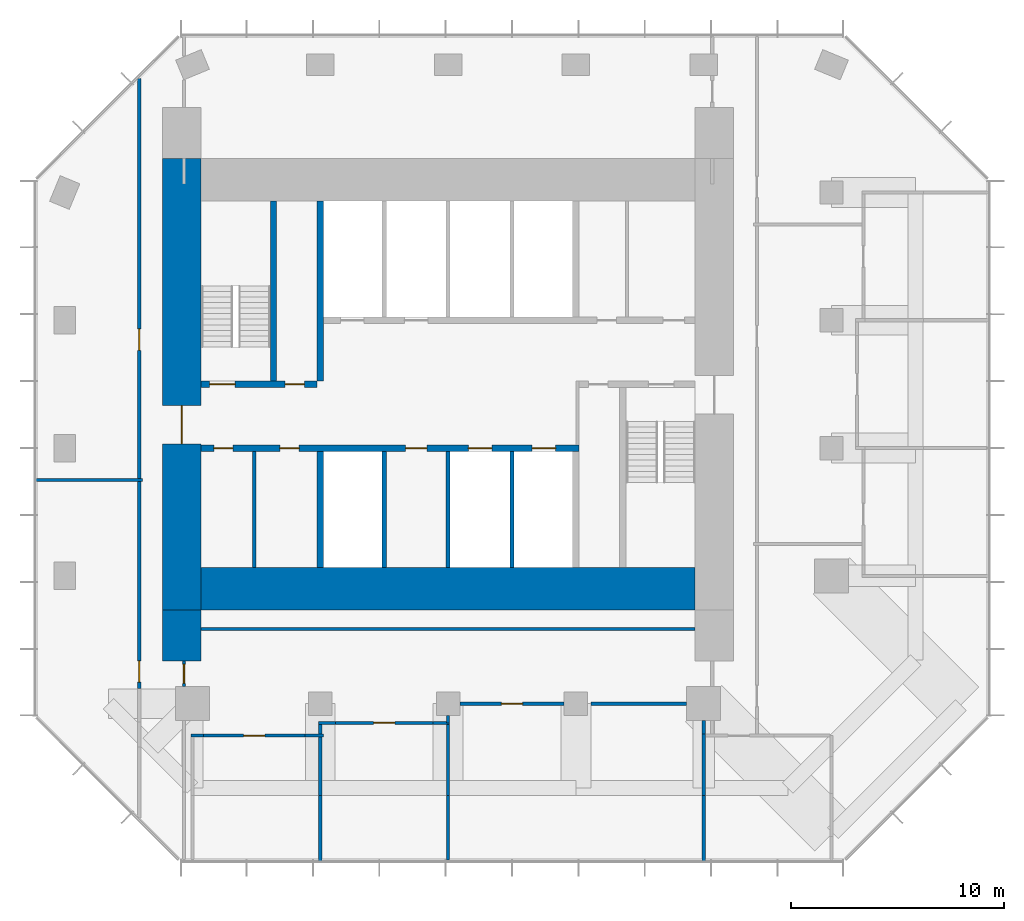
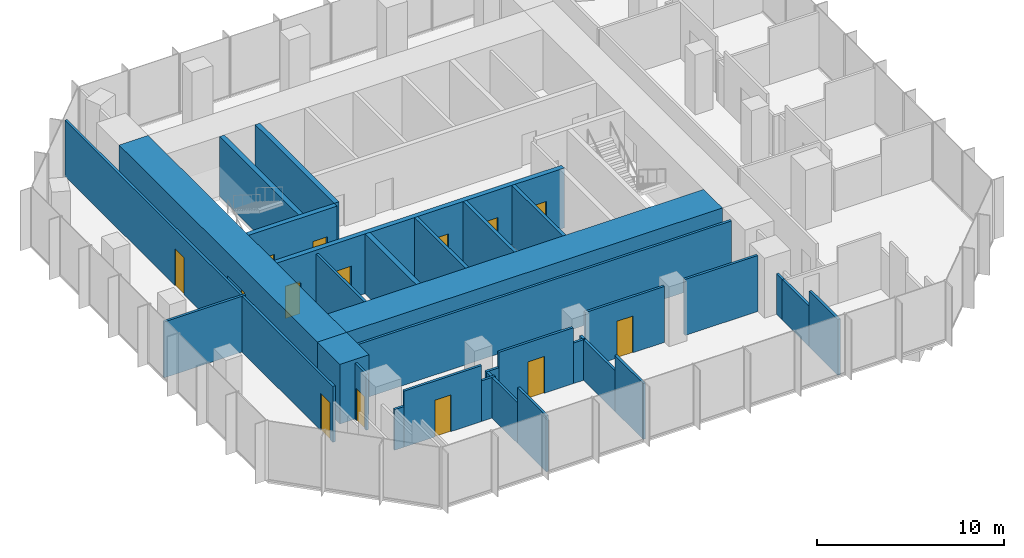
# One storey, part 8 of 11: 34 walls, 14 doors, 14 openings.
"""IFC4 building model written with IfcOpenShell, lengths in metres."""

from ifc_helpers import new_model, si_unit, direction, frame, frame_2d, origin, place, context, subcontext, project, spatial, rectangle, extrude, material, layer, layer_set, type_object, element, fill, save


model = new_model("IFC4")

# Units and contexts
model_context = context("Model", 3, precision=1e-05, world=origin(), true_north=direction((0.0, 1.0)))
body_context = subcontext(model_context, "Body", "Model", "MODEL_VIEW")
ifc_project = project(units=[si_unit("LENGTHUNIT", "METRE"), si_unit("AREAUNIT", "SQUARE_METRE"), si_unit("VOLUMEUNIT", "CUBIC_METRE"), si_unit("PLANEANGLEUNIT", "RADIAN"), si_unit("MASSUNIT", "GRAM", prefix="KILO")], contexts=[model_context])

# Site, building, storey
site_placement = place(None, origin())
site = spatial("IfcSite", under=ifc_project, at=site_placement, CompositionType="ELEMENT")
building_placement = place(site_placement, origin())
building = spatial("IfcBuilding", under=site, at=building_placement, Name="Highveld Stack Headquarters", CompositionType="ELEMENT")
storey_placement = place(building_placement, frame((0.0, 0.0, 280.10009765625)))
storey = spatial("IfcBuildingStorey", under=building, at=storey_placement, Name="L69", CompositionType="ELEMENT", Elevation=280.10009765625)

# Wall, opening, door
ifc_material_1 = material(Name="Concrete C60/75", Category="concrete")
ifc_layer_1 = layer(ifc_material_1, 1.800048828125)
ifc_layer_set_1 = layer_set([ifc_layer_1], Name="Concrete C60/75")
wall_type_1 = type_object("IfcWallType", Name="CORE WALL 1800 C60/75", PredefinedType="SHEAR", material=ifc_layer_set_1)
wall_1_placement = place(storey_placement, frame((-6.5, -7.60009765625, 0.0), z_axis=(0.0, 0.0, 1.0), x_axis=(0.0, 1.0, 0.0)))
wall_1 = element("IfcWall", 1, at=wall_1_placement, inside=storey, type_object=wall_type_1, Name="Core wall W L69", PredefinedType="SHEAR", context=body_context, shape_type="SweptSolid", body=[
    extrude(rectangle(XDim=21.2001953125, YDim=1.800048828125, at=frame_2d((10.60009765625, 0.0))), origin(), (0.0, 0.0, 1.0), 3.89990234375),
])
opening_1_placement = place(wall_1_placement, frame((7.800048828125, 0.0, 0.0)))
opening_1 = element("IfcOpeningElement", 2, at=opening_1_placement, cuts=wall_1, Name="Opening L69-01", PredefinedType="OPENING", context=body_context, shape_type="SweptSolid", body=[
    extrude(rectangle(XDim=1.800048828125, YDim=2.39990234375, at=frame_2d((0.89990234375, 1.199951171875))), frame((0.0, 0.909912109375, 0.0), z_axis=(0.0, -1.0, 0.0), x_axis=(1.0, 0.0, 0.0)), (0.0, 0.0, 1.0), 1.820068359375),
])
ifc_material_2 = material(Name="Steel fire door", Category="steel")
door_type_1 = type_object("IfcDoorType", Name="LOBBY FIRE DOOR D4 1800x2400", OperationType="DOUBLE_DOOR_SINGLE_SWING", PredefinedType="DOOR", material=ifc_material_2)
door_1_placement = place(opening_1_placement, origin())
door_1 = element("IfcDoor", 3, at=door_1_placement, inside=storey, type_object=door_type_1, Name="Core west door L69", OperationType="DOUBLE_DOOR_SINGLE_SWING", OverallHeight=2.39990234375, OverallWidth=1.800048828125, PredefinedType="DOOR", context=body_context, shape_type="SweptSolid", body=[
    extrude(rectangle(XDim=1.800048828125, YDim=2.39990234375, at=frame_2d((0.89990234375, 1.199951171875))), frame((0.0, 0.02490234375, 0.0), z_axis=(0.0, -1.0, 0.0), x_axis=(1.0, 0.0, 0.0)), (0.0, 0.0, 1.0), 0.050048828125),
])
fill(opening_1, door_1)

# Wall
ifc_material_3 = material(Name="Concrete C60/75", Category="concrete")
ifc_layer_2 = layer(ifc_material_3, 2.0)
ifc_layer_set_2 = layer_set([ifc_layer_2], Name="Concrete C60/75")
wall_type_2 = type_object("IfcWallType", Name="CORE WALL 2000 C60/75", PredefinedType="SHEAR", material=ifc_layer_set_2)
wall_2_placement = place(storey_placement, frame((-5.60009765625, -6.60009765625, 0.0), z_axis=(0.0, 0.0, 1.0), x_axis=(1.0, 0.0, 0.0)))
element("IfcWall", 4, at=wall_2_placement, inside=storey, type_object=wall_type_2, Name="Core wall S L69", PredefinedType="SHEAR", context=body_context, shape_type="SweptSolid", body=[
    extrude(rectangle(XDim=23.2001953125, YDim=2.0, at=frame_2d((11.60009765625, 0.0))), origin(), (0.0, 0.0, 1.0), 3.89990234375),
])

# Wall, openings, doors
ifc_material_4 = material(Name="Concrete C60/75", Category="concrete")
ifc_layer_3 = layer(ifc_material_4, 0.300048828125)
ifc_layer_set_3 = layer_set([ifc_layer_3], Name="Concrete C60/75")
wall_type_3 = type_object("IfcWallType", Name="CORE WALL 300 C60/75", PredefinedType="SHEAR", material=ifc_layer_set_3)
wall_3_placement = place(storey_placement, frame((-5.60009765625, 0.0, 0.0), z_axis=(0.0, 0.0, 1.0), x_axis=(1.0, 0.0, 0.0)))
wall_3 = element("IfcWall", 5, at=wall_3_placement, inside=storey, type_object=wall_type_3, Name="Core wall I-Y0 L69", PredefinedType="SHEAR", context=body_context, shape_type="SweptSolid", body=[
    extrude(rectangle(XDim=17.75, YDim=0.300048828125, at=frame_2d((8.875, 0.0))), origin(), (0.0, 0.0, 1.0), 3.89990234375),
])
opening_2_placement = place(wall_3_placement, frame((0.60009765625, 0.0, 0.0)))
opening_2 = element("IfcOpeningElement", 6, at=opening_2_placement, cuts=wall_3, Name="Opening L69-07", PredefinedType="OPENING", context=body_context, shape_type="SweptSolid", body=[
    extrude(rectangle(XDim=0.89990234375, YDim=2.10009765625, at=frame_2d((0.449951171875, 1.050048828125))), frame((0.0, 0.159912109375, 0.0), z_axis=(0.0, -1.0, 0.0), x_axis=(1.0, 0.0, 0.0)), (0.0, 0.0, 1.0), 0.320068359375),
])
opening_3_placement = place(wall_3_placement, frame((3.699951171875, 0.0, 0.0)))
opening_3 = element("IfcOpeningElement", 7, at=opening_3_placement, cuts=wall_3, Name="Opening L69-08", PredefinedType="OPENING", context=body_context, shape_type="SweptSolid", body=[
    extrude(rectangle(XDim=0.89990234375, YDim=2.10009765625, at=frame_2d((0.449951171875, 1.050048828125))), frame((0.0, 0.159912109375, 0.0), z_axis=(0.0, -1.0, 0.0), x_axis=(1.0, 0.0, 0.0)), (0.0, 0.0, 1.0), 0.320068359375),
])
opening_4_placement = place(wall_3_placement, frame((9.60009765625, 0.0, 0.0)))
opening_4 = element("IfcOpeningElement", 8, at=opening_4_placement, cuts=wall_3, Name="Opening L69-11", PredefinedType="OPENING", context=body_context, shape_type="SweptSolid", body=[
    extrude(rectangle(XDim=1.0, YDim=2.10009765625, at=frame_2d((0.5, 1.050048828125))), frame((0.0, 0.159912109375, 0.0), z_axis=(0.0, -1.0, 0.0), x_axis=(1.0, 0.0, 0.0)), (0.0, 0.0, 1.0), 0.320068359375),
])
opening_5_placement = place(wall_3_placement, frame((12.550048828125, 0.0, 0.0)))
opening_5 = element("IfcOpeningElement", 9, at=opening_5_placement, cuts=wall_3, Name="Opening LD", PredefinedType="OPENING", context=body_context, shape_type="SweptSolid", body=[
    extrude(rectangle(XDim=1.10009765625, YDim=2.10009765625, at=frame_2d((0.550048828125, 1.050048828125))), frame((0.0, 0.159912109375, 0.0), z_axis=(0.0, -1.0, 0.0), x_axis=(1.0, 0.0, 0.0)), (0.0, 0.0, 1.0), 0.320068359375),
])
opening_6_placement = place(wall_3_placement, frame((15.550048828125, 0.0, 0.0)))
opening_6 = element("IfcOpeningElement", 10, at=opening_6_placement, cuts=wall_3, Name="Opening LD", PredefinedType="OPENING", context=body_context, shape_type="SweptSolid", body=[
    extrude(rectangle(XDim=1.10009765625, YDim=2.10009765625, at=frame_2d((0.550048828125, 1.050048828125))), frame((0.0, 0.159912109375, 0.0), z_axis=(0.0, -1.0, 0.0), x_axis=(1.0, 0.0, 0.0)), (0.0, 0.0, 1.0), 0.320068359375),
])
ifc_material_5 = material(Name="Steel fire door", Category="steel")
door_type_2 = type_object("IfcDoorType", Name="CORE ROOM FIRE DOOR D14 1000x2100", OperationType="SINGLE_SWING_LEFT", PredefinedType="DOOR", material=ifc_material_5)
door_2_placement = place(opening_4_placement, origin())
door_2 = element("IfcDoor", 11, at=door_2_placement, inside=storey, type_object=door_type_2, Name="Capped B 1 door L69", OperationType="SINGLE_SWING_RIGHT", OverallHeight=2.10009765625, OverallWidth=1.0, PredefinedType="DOOR", context=body_context, shape_type="SweptSolid", body=[
    extrude(rectangle(XDim=1.0, YDim=2.10009765625, at=frame_2d((0.5, 1.050048828125))), frame((0.0, 0.02490234375, 0.0), z_axis=(0.0, -1.0, 0.0), x_axis=(1.0, 0.0, 0.0)), (0.0, 0.0, 1.0), 0.050048828125),
])
fill(opening_4, door_2)
ifc_material_6 = material(Name="Stainless steel lift landing door", Category="steel")
door_type_3 = type_object("IfcDoorType", Name="LIFT LANDING DOOR LD 1100x2100", OperationType="DOUBLE_DOOR_SLIDING", PredefinedType="USERDEFINED", material=ifc_material_6)
door_3_placement = place(opening_5_placement, origin())
door_3 = element("IfcDoor", 12, at=door_3_placement, inside=storey, type_object=door_type_3, Name="Lift landing door C1 L69", ObjectType="LIFT LANDING DOOR", OperationType="DOUBLE_DOOR_SLIDING", OverallHeight=2.10009765625, OverallWidth=1.10009765625, PredefinedType="USERDEFINED", context=body_context, shape_type="SweptSolid", body=[
    extrude(rectangle(XDim=1.10009765625, YDim=2.10009765625, at=frame_2d((0.550048828125, 1.050048828125))), frame((0.0, 0.02490234375, 0.0), z_axis=(0.0, -1.0, 0.0), x_axis=(1.0, 0.0, 0.0)), (0.0, 0.0, 1.0), 0.050048828125),
])
fill(opening_5, door_3)
door_4_placement = place(opening_6_placement, origin())
door_4 = element("IfcDoor", 13, at=door_4_placement, inside=storey, type_object=door_type_3, Name="Lift landing door C2 L69", ObjectType="LIFT LANDING DOOR", OperationType="DOUBLE_DOOR_SLIDING", OverallHeight=2.10009765625, OverallWidth=1.10009765625, PredefinedType="USERDEFINED", context=body_context, shape_type="SweptSolid", body=[
    extrude(rectangle(XDim=1.10009765625, YDim=2.10009765625, at=frame_2d((0.550048828125, 1.050048828125))), frame((0.0, 0.02490234375, 0.0), z_axis=(0.0, -1.0, 0.0), x_axis=(1.0, 0.0, 0.0)), (0.0, 0.0, 1.0), 0.050048828125),
])
fill(opening_6, door_4)
ifc_material_7 = material(Name="Timber door, painted", Category="wood")
door_type_4 = type_object("IfcDoorType", Name="WC DOOR D1 900x2100", OperationType="SINGLE_SWING_LEFT", PredefinedType="DOOR", material=ifc_material_7)
door_5_placement = place(opening_2_placement, origin())
door_5 = element("IfcDoor", 14, at=door_5_placement, inside=storey, type_object=door_type_4, Name="Female WC door L69", OperationType="SINGLE_SWING_LEFT", OverallHeight=2.10009765625, OverallWidth=0.89990234375, PredefinedType="DOOR", context=body_context, shape_type="SweptSolid", body=[
    extrude(rectangle(XDim=0.89990234375, YDim=2.10009765625, at=frame_2d((0.449951171875, 1.050048828125))), frame((0.0, 0.02490234375, 0.0), z_axis=(0.0, -1.0, 0.0), x_axis=(1.0, 0.0, 0.0)), (0.0, 0.0, 1.0), 0.050048828125),
])
fill(opening_2, door_5)
door_6_placement = place(opening_3_placement, origin())
door_6 = element("IfcDoor", 15, at=door_6_placement, inside=storey, type_object=door_type_4, Name="Shower and changing room door L69", OperationType="SINGLE_SWING_LEFT", OverallHeight=2.10009765625, OverallWidth=0.89990234375, PredefinedType="DOOR", context=body_context, shape_type="SweptSolid", body=[
    extrude(rectangle(XDim=0.89990234375, YDim=2.10009765625, at=frame_2d((0.449951171875, 1.050048828125))), frame((0.0, 0.02490234375, 0.0), z_axis=(0.0, -1.0, 0.0), x_axis=(1.0, 0.0, 0.0)), (0.0, 0.0, 1.0), 0.050048828125),
])
fill(opening_3, door_6)

wall_4_placement = place(storey_placement, frame((-5.60009765625, 3.0, 0.0), z_axis=(0.0, 0.0, 1.0), x_axis=(1.0, 0.0, 0.0)))
wall_4 = element("IfcWall", 16, at=wall_4_placement, inside=storey, type_object=wall_type_3, Name="Core wall I-Y3W L69", PredefinedType="SHEAR", context=body_context, shape_type="SweptSolid", body=[
    extrude(rectangle(XDim=5.4501953125, YDim=0.300048828125, at=frame_2d((2.72509765625, 0.0))), origin(), (0.0, 0.0, 1.0), 3.89990234375),
])
opening_7_placement = place(wall_4_placement, frame((0.39990234375, 0.0, 0.0)))
opening_7 = element("IfcOpeningElement", 17, at=opening_7_placement, cuts=wall_4, Name="Opening L69-03", PredefinedType="OPENING", context=body_context, shape_type="SweptSolid", body=[
    extrude(rectangle(XDim=1.199951171875, YDim=2.10009765625, at=frame_2d((0.60009765625, 1.050048828125))), frame((0.0, 0.159912109375, 0.0), z_axis=(0.0, -1.0, 0.0), x_axis=(1.0, 0.0, 0.0)), (0.0, 0.0, 1.0), 0.320068359375),
])
opening_8_placement = place(wall_4_placement, frame((3.949951171875, 0.0, 0.0)))
opening_8 = element("IfcOpeningElement", 18, at=opening_8_placement, cuts=wall_4, Name="Opening L69-04", PredefinedType="OPENING", context=body_context, shape_type="SweptSolid", body=[
    extrude(rectangle(XDim=0.89990234375, YDim=2.10009765625, at=frame_2d((0.449951171875, 1.050048828125))), frame((0.0, 0.159912109375, 0.0), z_axis=(0.0, -1.0, 0.0), x_axis=(1.0, 0.0, 0.0)), (0.0, 0.0, 1.0), 0.320068359375),
])
ifc_material_8 = material(Name="Steel fire door", Category="steel")
door_type_5 = type_object("IfcDoorType", Name="RISER ACCESS DOOR D5 900x2100", OperationType="SINGLE_SWING_LEFT", PredefinedType="DOOR", material=ifc_material_8)
door_7_placement = place(opening_8_placement, origin())
door_7 = element("IfcDoor", 19, at=door_7_placement, inside=storey, type_object=door_type_5, Name="Riser R1 door L69", OperationType="SINGLE_SWING_RIGHT", OverallHeight=2.10009765625, OverallWidth=0.89990234375, PredefinedType="DOOR", context=body_context, shape_type="SweptSolid", body=[
    extrude(rectangle(XDim=0.89990234375, YDim=2.10009765625, at=frame_2d((0.449951171875, 1.050048828125))), frame((0.0, 0.02490234375, 0.0), z_axis=(0.0, -1.0, 0.0), x_axis=(1.0, 0.0, 0.0)), (0.0, 0.0, 1.0), 0.050048828125),
])
fill(opening_8, door_7)
ifc_material_9 = material(Name="Steel fire door", Category="steel")
door_type_6 = type_object("IfcDoorType", Name="STAIR FIRE DOOR D3 1200x2100", OperationType="SINGLE_SWING_LEFT", PredefinedType="DOOR", material=ifc_material_9)
door_8_placement = place(opening_7_placement, origin())
door_8 = element("IfcDoor", 20, at=door_8_placement, inside=storey, type_object=door_type_6, Name="Stair S1 door L69", OperationType="SINGLE_SWING_LEFT", OverallHeight=2.10009765625, OverallWidth=1.199951171875, PredefinedType="DOOR", context=body_context, shape_type="SweptSolid", body=[
    extrude(rectangle(XDim=1.199951171875, YDim=2.10009765625, at=frame_2d((0.60009765625, 1.050048828125))), frame((0.0, 0.02490234375, 0.0), z_axis=(0.0, -1.0, 0.0), x_axis=(1.0, 0.0, 0.0)), (0.0, 0.0, 1.0), 0.050048828125),
])
fill(opening_7, door_8)

# Walls
wall_5_placement = place(storey_placement, frame((0.0, -5.60009765625, 0.0), z_axis=(0.0, 0.0, 1.0), x_axis=(0.0, 1.0, 0.0)))
element("IfcWall", 21, at=wall_5_placement, inside=storey, type_object=wall_type_3, Name="Core wall I-X0S L69", PredefinedType="SHEAR", context=body_context, shape_type="SweptSolid", body=[
    extrude(rectangle(XDim=5.4501953125, YDim=0.300048828125, at=frame_2d((2.72509765625, 0.0))), origin(), (0.0, 0.0, 1.0), 3.89990234375),
])
for number, where, z_axis, x_axis, name in (
    (22, (0.0, 3.14990234375, 0.0), (0.0, 0.0, 1.0), (0.0, 1.0, 0.0), "Core wall I-X0N L69"),
    (23, (-2.199951171875, 3.14990234375, 0.0), (0.0, 0.0, 1.0), (0.0, 1.0, 0.0), "Core wall I-RW L69"),
):
    element("IfcWall", number, at=place(storey_placement, frame(where, z_axis=z_axis, x_axis=x_axis)), inside=storey, type_object=wall_type_3, Name=name, PredefinedType="SHEAR", context=body_context, shape_type="SweptSolid", body=[
        extrude(rectangle(XDim=8.4501953125, YDim=0.300048828125, at=frame_2d((4.22509765625, 0.0))), origin(), (0.0, 0.0, 1.0), 3.89990234375),
    ])
ifc_material_10 = material(Name="Concrete C60/75", Category="concrete")
ifc_layer_4 = layer(ifc_material_10, 1.800048828125)
ifc_layer_set_4 = layer_set([ifc_layer_4], Name="Concrete C60/75")
wall_type_4 = type_object("IfcWallType", Name="CORE WING WALL 1800 C60/75", PredefinedType="SHEAR", material=ifc_layer_set_4)
wall_6_placement = place(storey_placement, frame((-6.5, -10.0, 0.0), z_axis=(0.0, 0.0, 1.0), x_axis=(0.0, 1.0, 0.0)))
element("IfcWall", 24, at=wall_6_placement, inside=storey, type_object=wall_type_4, Name="Core wing wall WS L69", PredefinedType="SHEAR", context=body_context, shape_type="SweptSolid", body=[
    extrude(rectangle(XDim=2.39990234375, YDim=1.800048828125, at=frame_2d((1.199951171875, 0.0))), origin(), (0.0, 0.0, 1.0), 3.89990234375),
])

# Wall, opening, door
ifc_material_11 = material(Name="Laminated glass in aluminium frame", Category="aluminium")
ifc_layer_5 = layer(ifc_material_11, 0.14990234375)
ifc_layer_set_5 = layer_set([ifc_layer_5], Name="Laminated glass in aluminium frame")
wall_type_5 = type_object("IfcWallType", Name="GLAZED PARTITION 150", PredefinedType="PARTITIONING", material=ifc_layer_set_5)
wall_7_placement = place(storey_placement, frame((6.56005859375, -12.0, 0.0), z_axis=(0.0, 0.0, 1.0), x_axis=(1.0, 0.0, 0.0)))
wall_7 = element("IfcWall", 25, at=wall_7_placement, inside=storey, type_object=wall_type_5, Name="Glazed partition Executive meeting room L69", PredefinedType="PARTITIONING", context=body_context, shape_type="SweptSolid", body=[
    extrude(rectangle(XDim=4.8798828125, YDim=0.14990234375, at=frame_2d((2.43994140625, 0.0))), origin(), (0.0, 0.0, 1.0), 3.64990234375),
])
opening_9_placement = place(wall_7_placement, frame((1.93994140625, 0.0, 0.0)))
opening_9 = element("IfcOpeningElement", 26, at=opening_9_placement, cuts=wall_7, Name="Opening L69-14", PredefinedType="OPENING", context=body_context, shape_type="SweptSolid", body=[
    extrude(rectangle(XDim=1.0, YDim=2.39990234375, at=frame_2d((0.5, 1.199951171875))), frame((0.0, 0.0849609375, 0.0), z_axis=(0.0, -1.0, 0.0), x_axis=(1.0, 0.0, 0.0)), (0.0, 0.0, 1.0), 0.169921875),
])
ifc_material_12 = material(Name="Timber door, oiled ash", Category="wood")
door_type_7 = type_object("IfcDoorType", Name="ROOM DOOR D11 1000x2400", OperationType="SINGLE_SWING_LEFT", PredefinedType="DOOR", material=ifc_material_12)
door_9_placement = place(opening_9_placement, origin())
door_9 = element("IfcDoor", 27, at=door_9_placement, inside=storey, type_object=door_type_7, Name="Executive meeting room door 1 L69", OperationType="SINGLE_SWING_RIGHT", OverallHeight=2.39990234375, OverallWidth=1.0, PredefinedType="DOOR", context=body_context, shape_type="SweptSolid", body=[
    extrude(rectangle(XDim=1.0, YDim=2.39990234375, at=frame_2d((0.5, 1.199951171875))), frame((0.0, 0.02490234375, 0.0), z_axis=(0.0, -1.0, 0.0), x_axis=(1.0, 0.0, 0.0)), (0.0, 0.0, 1.0), 0.050048828125),
])
fill(opening_9, door_9)

# Walls
wall_8_placement = place(storey_placement, frame((12.7099609375, -12.0, 0.0), z_axis=(0.0, 0.0, 1.0), x_axis=(1.0, 0.0, 0.0)))
element("IfcWall", 28, at=wall_8_placement, inside=storey, type_object=wall_type_5, Name="Glazed partition Executive meeting room L69", PredefinedType="PARTITIONING", context=body_context, shape_type="SweptSolid", body=[
    extrude(rectangle(XDim=4.489990234375, YDim=0.14990234375, at=frame_2d((2.2451171875, 0.0))), origin(), (0.0, 0.0, 1.0), 3.64990234375),
])
ifc_material_13 = material(Name="Concrete blockwork, fair-faced", Category="masonry")
ifc_layer_6 = layer(ifc_material_13, 0.199951171875)
ifc_layer_set_6 = layer_set([ifc_layer_6], Name="Concrete blockwork, fair-faced")
wall_type_6 = type_object("IfcWallType", Name="LIFT SHAFT ENCLOSURE WALL 200 BLOCKWORK", PredefinedType="SOLIDWALL", material=ifc_layer_set_6)
for number, where, z_axis, x_axis, name in (
    (29, (3.0, -5.60009765625, 0.0), (0.0, 0.0, 1.0), (0.0, 1.0, 0.0), "Lift shaft wall L69"),
    (30, (6.0, -5.60009765625, 0.0), (0.0, 0.0, 1.0), (0.0, 1.0, 0.0), "Lift shaft wall L69"),
    (31, (9.0, -5.60009765625, 0.0), (0.0, 0.0, 1.0), (0.0, 1.0, 0.0), "Lift shaft wall L69"),
):
    element("IfcWall", number, at=place(storey_placement, frame(where, z_axis=z_axis, x_axis=x_axis)), inside=storey, type_object=wall_type_6, Name=name, PredefinedType="SOLIDWALL", context=body_context, shape_type="SweptSolid", body=[
        extrude(rectangle(XDim=5.4501953125, YDim=0.199951171875, at=frame_2d((2.72509765625, 0.0))), origin(), (0.0, 0.0, 1.0), 3.89990234375),
    ])
ifc_material_14 = material(Name="Gypsum plasterboard on steel studs", Category="steel")
ifc_layer_7 = layer(ifc_material_14, 0.14990234375)
ifc_layer_set_7 = layer_set([ifc_layer_7], Name="Gypsum plasterboard on steel studs")
wall_type_7 = type_object("IfcWallType", Name="PARTITION 150 PLASTERBOARD", PredefinedType="PARTITIONING", material=ifc_layer_set_7)
wall_9_placement = place(storey_placement, frame((-6.074951171875, -13.5, 0.0), z_axis=(0.0, 0.0, 1.0), x_axis=(1.0, 0.0, 0.0)))
element("IfcWall", 32, at=wall_9_placement, inside=storey, type_object=wall_type_7, Name="Partition Quiet room L69", PredefinedType="PARTITIONING", context=body_context, shape_type="SweptSolid", body=[
    extrude(rectangle(XDim=0.5849609375, YDim=0.14990234375, at=frame_2d((0.29248046875, 0.0))), origin(), (0.0, 0.0, 1.0), 2.64990234375),
])

# Wall, opening, door
wall_10_placement = place(storey_placement, frame((-5.489990234375, -13.5, 0.0), z_axis=(0.0, 0.0, 1.0), x_axis=(1.0, 0.0, 0.0)))
wall_10 = element("IfcWall", 33, at=wall_10_placement, inside=storey, type_object=wall_type_7, Name="Partition Quiet room L69", PredefinedType="PARTITIONING", context=body_context, shape_type="SweptSolid", body=[
    extrude(rectangle(XDim=4.780029296875, YDim=0.14990234375, at=frame_2d((2.39013671875, 0.0))), origin(), (0.0, 0.0, 1.0), 3.64990234375),
])
opening_10_placement = place(wall_10_placement, frame((1.889892578125, 0.0, 0.0)))
opening_10 = element("IfcOpeningElement", 34, at=opening_10_placement, cuts=wall_10, Name="Opening L69-12", PredefinedType="OPENING", context=body_context, shape_type="SweptSolid", body=[
    extrude(rectangle(XDim=1.0, YDim=2.39990234375, at=frame_2d((0.5, 1.199951171875))), frame((0.0, 0.0849609375, 0.0), z_axis=(0.0, -1.0, 0.0), x_axis=(1.0, 0.0, 0.0)), (0.0, 0.0, 1.0), 0.169921875),
])
door_10_placement = place(opening_10_placement, origin())
door_10 = element("IfcDoor", 35, at=door_10_placement, inside=storey, type_object=door_type_7, Name="Quiet room door 1 L69", OperationType="SINGLE_SWING_RIGHT", OverallHeight=2.39990234375, OverallWidth=1.0, PredefinedType="DOOR", context=body_context, shape_type="SweptSolid", body=[
    extrude(rectangle(XDim=1.0, YDim=2.39990234375, at=frame_2d((0.5, 1.199951171875))), frame((0.0, 0.02490234375, 0.0), z_axis=(0.0, -1.0, 0.0), x_axis=(1.0, 0.0, 0.0)), (0.0, 0.0, 1.0), 0.050048828125),
])
fill(opening_10, door_10)

# Walls
wall_11_placement = place(storey_placement, frame((-0.7099609375, -13.5, 0.0), z_axis=(0.0, 0.0, 1.0), x_axis=(1.0, 0.0, 0.0)))
element("IfcWall", 36, at=wall_11_placement, inside=storey, type_object=wall_type_7, Name="Partition Quiet room L69", PredefinedType="PARTITIONING", context=body_context, shape_type="SweptSolid", body=[
    extrude(rectangle(XDim=0.85986328125, YDim=0.14990234375, at=frame_2d((0.429931640625, 0.0))), origin(), (0.0, 0.0, 1.0), 2.64990234375),
])
wall_12_placement = place(storey_placement, frame((-0.074951171875, -12.89990234375, 0.0), z_axis=(0.0, 0.0, 1.0), x_axis=(1.0, 0.0, 0.0)))
element("IfcWall", 37, at=wall_12_placement, inside=storey, type_object=wall_type_7, Name="Partition Interview room L69", PredefinedType="PARTITIONING", context=body_context, shape_type="SweptSolid", body=[
    extrude(rectangle(XDim=0.784912109375, YDim=0.14990234375, at=frame_2d((0.392578125, 0.0))), origin(), (0.0, 0.0, 1.0), 2.64990234375),
])

# Wall, opening, door
wall_13_placement = place(storey_placement, frame((0.7099609375, -12.89990234375, 0.0), z_axis=(0.0, 0.0, 1.0), x_axis=(1.0, 0.0, 0.0)))
wall_13 = element("IfcWall", 38, at=wall_13_placement, inside=storey, type_object=wall_type_7, Name="Partition Interview room L69", PredefinedType="PARTITIONING", context=body_context, shape_type="SweptSolid", body=[
    extrude(rectangle(XDim=4.580078125, YDim=0.14990234375, at=frame_2d((2.2900390625, 0.0))), origin(), (0.0, 0.0, 1.0), 3.64990234375),
])
opening_11_placement = place(wall_13_placement, frame((1.7900390625, 0.0, 0.0)))
opening_11 = element("IfcOpeningElement", 39, at=opening_11_placement, cuts=wall_13, Name="Opening L69-13", PredefinedType="OPENING", context=body_context, shape_type="SweptSolid", body=[
    extrude(rectangle(XDim=1.0, YDim=2.39990234375, at=frame_2d((0.5, 1.199951171875))), frame((0.0, 0.0849609375, 0.0), z_axis=(0.0, -1.0, 0.0), x_axis=(1.0, 0.0, 0.0)), (0.0, 0.0, 1.0), 0.169921875),
])
door_11_placement = place(opening_11_placement, origin())
door_11 = element("IfcDoor", 40, at=door_11_placement, inside=storey, type_object=door_type_7, Name="Interview room door 1 L69", OperationType="SINGLE_SWING_LEFT", OverallHeight=2.39990234375, OverallWidth=1.0, PredefinedType="DOOR", context=body_context, shape_type="SweptSolid", body=[
    extrude(rectangle(XDim=1.0, YDim=2.39990234375, at=frame_2d((0.5, 1.199951171875))), frame((0.0, 0.02490234375, 0.0), z_axis=(0.0, -1.0, 0.0), x_axis=(1.0, 0.0, 0.0)), (0.0, 0.0, 1.0), 0.050048828125),
])
fill(opening_11, door_11)

# Walls
wall_14_placement = place(storey_placement, frame((5.2900390625, -12.89990234375, 0.0), z_axis=(0.0, 0.0, 1.0), x_axis=(1.0, 0.0, 0.0)))
element("IfcWall", 41, at=wall_14_placement, inside=storey, type_object=wall_type_7, Name="Partition Interview room L69", PredefinedType="PARTITIONING", context=body_context, shape_type="SweptSolid", body=[
    extrude(rectangle(XDim=0.784912109375, YDim=0.14990234375, at=frame_2d((0.392578125, 0.0))), origin(), (0.0, 0.0, 1.0), 2.64990234375),
])
wall_15_placement = place(storey_placement, frame((0.0, -19.375, 0.0), z_axis=(0.0, 0.0, 1.0), x_axis=(0.0, 1.0, 0.0)))
element("IfcWall", 42, at=wall_15_placement, inside=storey, type_object=wall_type_7, Name="Partition Interview room / Quiet room L69", PredefinedType="PARTITIONING", context=body_context, shape_type="SweptSolid", body=[
    extrude(rectangle(XDim=3.06494140625, YDim=0.14990234375, at=frame_2d((1.532470703125, 0.0))), origin(), (0.0, 0.0, 1.0), 3.64990234375),
])
wall_16_placement = place(storey_placement, frame((0.0, -16.31005859375, 0.0), z_axis=(0.0, 0.0, 1.0), x_axis=(0.0, 1.0, 0.0)))
element("IfcWall", 43, at=wall_16_placement, inside=storey, type_object=wall_type_7, Name="Partition Interview room / Quiet room L69", PredefinedType="PARTITIONING", context=body_context, shape_type="SweptSolid", body=[
    extrude(rectangle(XDim=2.735107421875, YDim=0.14990234375, at=frame_2d((1.36767578125, 0.0))), origin(), (0.0, 0.0, 1.0), 2.64990234375),
])
wall_17_placement = place(storey_placement, frame((0.0, -13.425048828125, 0.0), z_axis=(0.0, 0.0, 1.0), x_axis=(0.0, 1.0, 0.0)))
element("IfcWall", 44, at=wall_17_placement, inside=storey, type_object=wall_type_7, Name="Partition Interview room L69", PredefinedType="PARTITIONING", context=body_context, shape_type="SweptSolid", body=[
    extrude(rectangle(XDim=0.449951171875, YDim=0.14990234375, at=frame_2d((0.22509765625, 0.0))), origin(), (0.0, 0.0, 1.0), 2.64990234375),
])
wall_18_placement = place(storey_placement, frame((6.0, -19.35009765625, 0.0), z_axis=(0.0, 0.0, 1.0), x_axis=(0.0, 1.0, 0.0)))
element("IfcWall", 45, at=wall_18_placement, inside=storey, type_object=wall_type_7, Name="Partition Executive meeting room / Interview room L69", PredefinedType="PARTITIONING", context=body_context, shape_type="SweptSolid", body=[
    extrude(rectangle(XDim=3.0400390625, YDim=0.14990234375, at=frame_2d((1.52001953125, 0.0))), origin(), (0.0, 0.0, 1.0), 3.64990234375),
])
wall_19_placement = place(storey_placement, frame((6.0, -16.31005859375, 0.0), z_axis=(0.0, 0.0, 1.0), x_axis=(0.0, 1.0, 0.0)))
element("IfcWall", 46, at=wall_19_placement, inside=storey, type_object=wall_type_7, Name="Partition Executive meeting room / Interview room L69", PredefinedType="PARTITIONING", context=body_context, shape_type="SweptSolid", body=[
    extrude(rectangle(XDim=3.3349609375, YDim=0.14990234375, at=frame_2d((1.66748046875, 0.0))), origin(), (0.0, 0.0, 1.0), 2.64990234375),
])
wall_20_placement = place(storey_placement, frame((6.0, -12.89990234375, 0.0), z_axis=(0.0, 0.0, 1.0), x_axis=(0.0, 1.0, 0.0)))
element("IfcWall", 47, at=wall_20_placement, inside=storey, type_object=wall_type_7, Name="Partition Executive meeting room L69", PredefinedType="PARTITIONING", context=body_context, shape_type="SweptSolid", body=[
    extrude(rectangle(XDim=0.349853515625, YDim=0.14990234375, at=frame_2d((0.1748046875, 0.0))), origin(), (0.0, 0.0, 1.0), 2.64990234375),
])
wall_21_placement = place(storey_placement, frame((18.0, -19.375, 0.0), z_axis=(0.0, 0.0, 1.0), x_axis=(0.0, 1.0, 0.0)))
element("IfcWall", 48, at=wall_21_placement, inside=storey, type_object=wall_type_7, Name="Partition Executive meeting room / Quiet room L69", PredefinedType="PARTITIONING", context=body_context, shape_type="SweptSolid", body=[
    extrude(rectangle(XDim=3.06494140625, YDim=0.14990234375, at=frame_2d((1.532470703125, 0.0))), origin(), (0.0, 0.0, 1.0), 3.64990234375),
])
wall_22_placement = place(storey_placement, frame((18.0, -16.31005859375, 0.0), z_axis=(0.0, 0.0, 1.0), x_axis=(0.0, 1.0, 0.0)))
element("IfcWall", 49, at=wall_22_placement, inside=storey, type_object=wall_type_7, Name="Partition Executive meeting room / Quiet room L69", PredefinedType="PARTITIONING", context=body_context, shape_type="SweptSolid", body=[
    extrude(rectangle(XDim=2.885009765625, YDim=0.14990234375, at=frame_2d((1.4423828125, 0.0))), origin(), (0.0, 0.0, 1.0), 2.64990234375),
])
wall_23_placement = place(storey_placement, frame((18.0, -13.425048828125, 0.0), z_axis=(0.0, 0.0, 1.0), x_axis=(0.0, 1.0, 0.0)))
element("IfcWall", 50, at=wall_23_placement, inside=storey, type_object=wall_type_7, Name="Partition Executive meeting room L69", PredefinedType="PARTITIONING", context=body_context, shape_type="SweptSolid", body=[
    extrude(rectangle(XDim=0.625, YDim=0.14990234375, at=frame_2d((0.3125, 0.0))), origin(), (0.0, 0.0, 1.0), 2.64990234375),
])
wall_24_placement = place(storey_placement, frame((-13.375, -1.5, 0.0), z_axis=(0.0, 0.0, 1.0), x_axis=(1.0, 0.0, 0.0)))
element("IfcWall", 51, at=wall_24_placement, inside=storey, type_object=wall_type_7, Name="Partition office neighbourhood L69", PredefinedType="PARTITIONING", context=body_context, shape_type="SweptSolid", body=[
    extrude(rectangle(XDim=5.02490234375, YDim=0.14990234375, at=frame_2d((2.512451171875, 0.0))), origin(), (0.0, 0.0, 1.0), 3.64990234375),
])

# Wall, opening, door
wall_25_placement = place(storey_placement, frame((-8.5, -11.2900390625, 0.0), z_axis=(0.0, 0.0, 1.0), x_axis=(0.0, 1.0, 0.0)))
wall_25 = element("IfcWall", 52, at=wall_25_placement, inside=storey, type_object=wall_type_7, Name="Partition office neighbourhood L69", PredefinedType="PARTITIONING", context=body_context, shape_type="SweptSolid", body=[
    extrude(rectangle(XDim=9.715087890625, YDim=0.14990234375, at=frame_2d((4.857421875, 0.0))), origin(), (0.0, 0.0, 1.0), 3.64990234375),
])
opening_12_placement = place(wall_25_placement, frame((0.300048828125, 0.0, 0.0)))
opening_12 = element("IfcOpeningElement", 53, at=opening_12_placement, cuts=wall_25, Name="Opening L69-19", PredefinedType="OPENING", context=body_context, shape_type="SweptSolid", body=[
    extrude(rectangle(XDim=1.0, YDim=2.39990234375, at=frame_2d((0.5, 1.199951171875))), frame((0.0, 0.0849609375, 0.0), z_axis=(0.0, -1.0, 0.0), x_axis=(1.0, 0.0, 0.0)), (0.0, 0.0, 1.0), 0.169921875),
])
door_12_placement = place(opening_12_placement, origin())
door_12 = element("IfcDoor", 54, at=door_12_placement, inside=storey, type_object=door_type_7, Name="Office neighbourhood door L69", OperationType="SINGLE_SWING_LEFT", OverallHeight=2.39990234375, OverallWidth=1.0, PredefinedType="DOOR", context=body_context, shape_type="SweptSolid", body=[
    extrude(rectangle(XDim=1.0, YDim=2.39990234375, at=frame_2d((0.5, 1.199951171875))), frame((0.0, 0.02490234375, 0.0), z_axis=(0.0, -1.0, 0.0), x_axis=(1.0, 0.0, 0.0)), (0.0, 0.0, 1.0), 0.050048828125),
])
fill(opening_12, door_12)

wall_26_placement = place(storey_placement, frame((-8.5, -1.425048828125, 0.0), z_axis=(0.0, 0.0, 1.0), x_axis=(0.0, 1.0, 0.0)))
wall_26 = element("IfcWall", 55, at=wall_26_placement, inside=storey, type_object=wall_type_7, Name="Partition office neighbourhood L69", PredefinedType="PARTITIONING", context=body_context, shape_type="SweptSolid", body=[
    extrude(rectangle(XDim=18.7880859375, YDim=0.14990234375, at=frame_2d((9.39404296875, 0.0))), origin(), (0.0, 0.0, 1.0), 3.64990234375),
])
opening_13_placement = place(wall_26_placement, frame((6.01806640625, 0.0, 0.0)))
opening_13 = element("IfcOpeningElement", 56, at=opening_13_placement, cuts=wall_26, Name="Opening L69-21", PredefinedType="OPENING", context=body_context, shape_type="SweptSolid", body=[
    extrude(rectangle(XDim=1.0, YDim=2.39990234375, at=frame_2d((0.5, 1.199951171875))), frame((0.0, 0.0849609375, 0.0), z_axis=(0.0, -1.0, 0.0), x_axis=(1.0, 0.0, 0.0)), (0.0, 0.0, 1.0), 0.169921875),
])
door_13_placement = place(opening_13_placement, origin())
door_13 = element("IfcDoor", 57, at=door_13_placement, inside=storey, type_object=door_type_7, Name="Office neighbourhood door L69", OperationType="SINGLE_SWING_LEFT", OverallHeight=2.39990234375, OverallWidth=1.0, PredefinedType="DOOR", context=body_context, shape_type="SweptSolid", body=[
    extrude(rectangle(XDim=1.0, YDim=2.39990234375, at=frame_2d((0.5, 1.199951171875))), frame((0.0, 0.02490234375, 0.0), z_axis=(0.0, -1.0, 0.0), x_axis=(1.0, 0.0, 0.0)), (0.0, 0.0, 1.0), 0.050048828125),
])
fill(opening_13, door_13)

wall_27_placement = place(storey_placement, frame((-6.39990234375, -11.199951171875, 0.0), z_axis=(0.0, 0.0, 1.0), x_axis=(0.0, 1.0, 0.0)))
wall_27 = element("IfcWall", 58, at=wall_27_placement, inside=storey, type_object=wall_type_7, Name="Partition office neighbourhood L69", PredefinedType="PARTITIONING", context=body_context, shape_type="SweptSolid", body=[
    extrude(rectangle(XDim=1.199951171875, YDim=0.14990234375, at=frame_2d((0.60009765625, 0.0))), origin(), (0.0, 0.0, 1.0), 3.64990234375),
])
opening_14_placement = place(wall_27_placement, frame((0.14990234375, 0.0, 0.0)))
opening_14 = element("IfcOpeningElement", 59, at=opening_14_placement, cuts=wall_27, Name="Opening L69-25", PredefinedType="OPENING", context=body_context, shape_type="SweptSolid", body=[
    extrude(rectangle(XDim=0.89990234375, YDim=2.10009765625, at=frame_2d((0.449951171875, 1.050048828125))), frame((0.0, 0.0849609375, 0.0), z_axis=(0.0, -1.0, 0.0), x_axis=(1.0, 0.0, 0.0)), (0.0, 0.0, 1.0), 0.169921875),
])
ifc_material_15 = material(Name="Timber door, oiled ash", Category="wood")
door_type_8 = type_object("IfcDoorType", Name="ROOM DOOR D15 900x2100", OperationType="SINGLE_SWING_LEFT", PredefinedType="DOOR", material=ifc_material_15)
door_14_placement = place(opening_14_placement, origin())
door_14 = element("IfcDoor", 60, at=door_14_placement, inside=storey, type_object=door_type_8, Name="Office neighbourhood door L69", OperationType="SINGLE_SWING_RIGHT", OverallHeight=2.10009765625, OverallWidth=0.89990234375, PredefinedType="DOOR", context=body_context, shape_type="SweptSolid", body=[
    extrude(rectangle(XDim=0.89990234375, YDim=2.10009765625, at=frame_2d((0.449951171875, 1.050048828125))), frame((0.0, 0.02490234375, 0.0), z_axis=(0.0, -1.0, 0.0), x_axis=(1.0, 0.0, 0.0)), (0.0, 0.0, 1.0), 0.050048828125),
])
fill(opening_14, door_14)

# Walls
wall_28_placement = place(storey_placement, frame((-5.60009765625, -8.5, 0.0), z_axis=(0.0, 0.0, 1.0), x_axis=(1.0, 0.0, 0.0)))
element("IfcWall", 61, at=wall_28_placement, inside=storey, type_object=wall_type_7, Name="Partition office neighbourhood L69", PredefinedType="PARTITIONING", context=body_context, shape_type="SweptSolid", body=[
    extrude(rectangle(XDim=23.2001953125, YDim=0.14990234375, at=frame_2d((11.60009765625, 0.0))), origin(), (0.0, 0.0, 1.0), 3.64990234375),
])
ifc_material_16 = material(Name="Concrete blockwork, tiled", Category="masonry")
ifc_layer_8 = layer(ifc_material_16, 0.14990234375)
ifc_layer_set_8 = layer_set([ifc_layer_8], Name="Concrete blockwork, tiled")
wall_type_8 = type_object("IfcWallType", Name="WC PARTITION 150", PredefinedType="PLUMBINGWALL", material=ifc_layer_set_8)
wall_29_placement = place(storey_placement, frame((-3.10009765625, -5.60009765625, 0.0), z_axis=(0.0, 0.0, 1.0), x_axis=(0.0, 1.0, 0.0)))
element("IfcWall", 62, at=wall_29_placement, inside=storey, type_object=wall_type_8, Name="Toilet partition L69", PredefinedType="PLUMBINGWALL", context=body_context, shape_type="SweptSolid", body=[
    extrude(rectangle(XDim=5.4501953125, YDim=0.14990234375, at=frame_2d((2.72509765625, 0.0))), origin(), (0.0, 0.0, 1.0), 3.64990234375),
])

save(model, "model.ifc")
